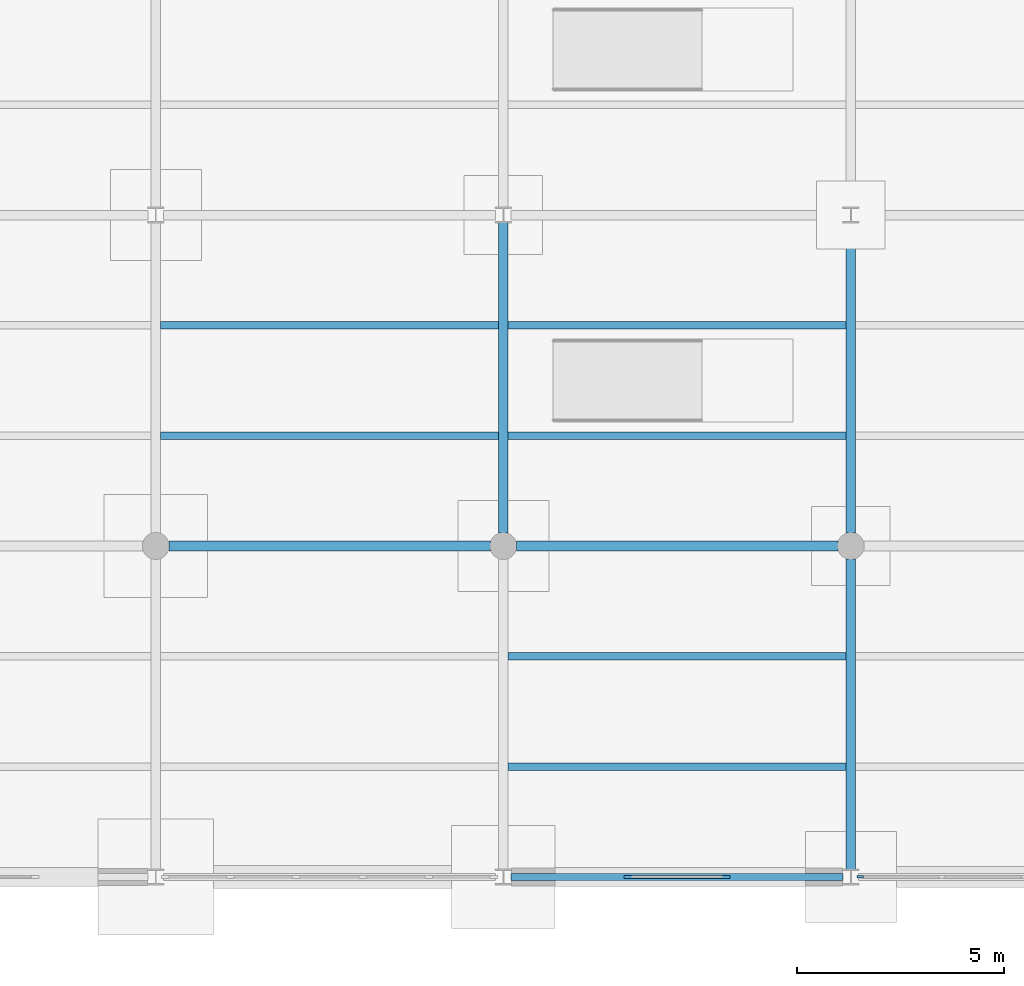
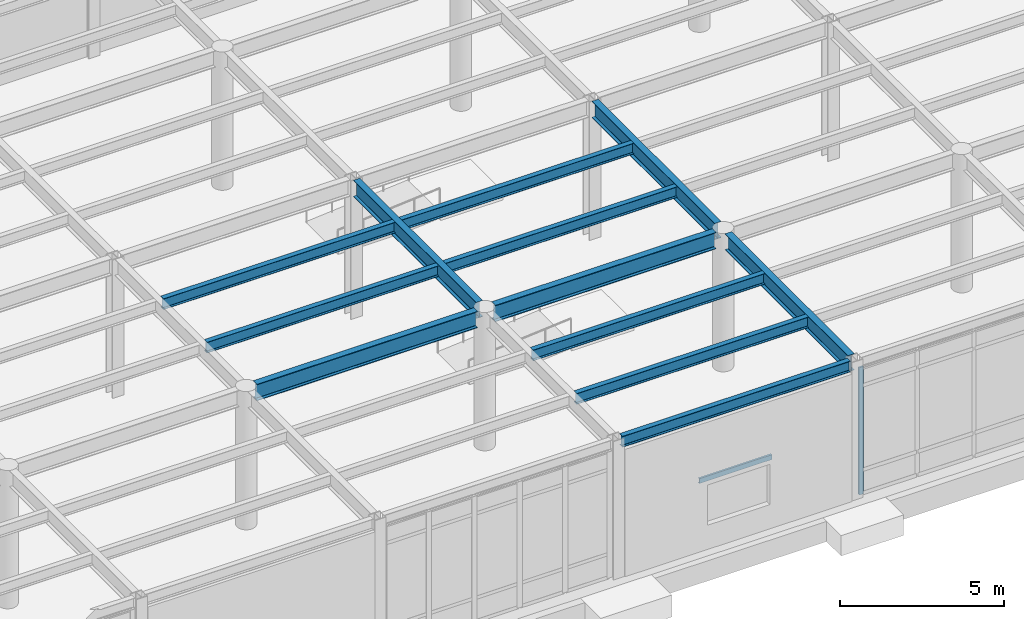
# One storey, part 35 of 138: 13 beams, 1 member, 1 element without a shape of its own.
"""IFC4 building model written with IfcOpenShell, lengths in metres."""

from ifc_helpers import new_model, si_unit, direction, frame, origin, origin_2d, place, context, subcontext, project, spatial, rectangle, i_section, u_section, extrude, material, layer, layer_set, material_profile, profile_set, type_object, element, aggregate, save


model = new_model("IFC4")

# Units and contexts
model_context = context("Model", 3, precision=1e-05, world=origin(), true_north=direction((0.0, 1.0)))
body_context = subcontext(model_context, "Body", "Model", "MODEL_VIEW")
ifc_project = project(units=[si_unit("LENGTHUNIT", "METRE"), si_unit("AREAUNIT", "SQUARE_METRE"), si_unit("VOLUMEUNIT", "CUBIC_METRE"), si_unit("PLANEANGLEUNIT", "RADIAN"), si_unit("MASSUNIT", "GRAM", prefix="KILO")], contexts=[model_context])

# Site, building, storey
site_placement = place(None, origin())
site = spatial("IfcSite", under=ifc_project, at=site_placement, CompositionType="ELEMENT")
building_placement = place(site_placement, origin())
building = spatial("IfcBuilding", under=site, at=building_placement, Name="Kranzveld Transit Interchange", CompositionType="ELEMENT")
storey_placement = place(building_placement, origin())
storey = spatial("IfcBuildingStorey", under=building, at=storey_placement, Name="L00", CompositionType="ELEMENT", Elevation=0.0)

# Curtain wall, member
ifc_material_1 = material(Name="Bronze-anodised thermally broken aluminium", Category="aluminium")
ifc_layer = layer(ifc_material_1, 0.159912109375)
ifc_layer_set = layer_set([ifc_layer], Name="Bronze-anodised thermally broken aluminium")
curtain_wall_type = type_object("IfcCurtainWallType", Name="Bus Boarding Glazed Screen CW-3", PredefinedType="USERDEFINED", material=ifc_layer_set)
curtain_wall_placement = place(storey_placement, origin())
curtain_wall = element("IfcCurtainWall", 1, at=curtain_wall_placement, inside=storey, type_object=curtain_wall_type, Name="L00 Curtain Wall 16/A-17/A", ObjectType="CURTAIN WALL", PredefinedType="USERDEFINED")
ifc_material_2 = material(Name="Bronze-anodised thermally broken aluminium", Category="aluminium")
ifc_material_profile_1 = material_profile(ifc_material_2, rectangle(XDim=0.06005859375, YDim=0.14990234375, at=origin_2d()), Name="ALU MULLION 60x150")
ifc_profile_set_1 = profile_set([ifc_material_profile_1], Name="Bronze-anodised thermally broken aluminium")
member_type = type_object("IfcMemberType", Name="Curtain Wall Mullion 60x150 Alu", PredefinedType="MULLION", material=ifc_profile_set_1)
member_placement = place(storey_placement, frame((126.2294921875, 0.0, 0.0), z_axis=(0.0, 0.0, 1.0), x_axis=(0.0, 1.0, 0.0)))
member = element("IfcMember", 2, at=member_placement, type_object=member_type, Name="CW-3 mullion 1", PredefinedType="MULLION", context=body_context, shape_type="SweptSolid", body=[
    extrude(rectangle(XDim=0.06005859375, YDim=0.14990234375, at=origin_2d()), origin(), (0.0, 0.0, 1.0), 4.740478515625),
])
aggregate(curtain_wall, [member])

# Beams
ifc_material_3 = material(Name="Steel S355JR", Category="steel")
ifc_material_profile_2 = material_profile(ifc_material_3, i_section(OverallWidth=0.1787109375, OverallDepth=0.409423828125, WebThickness=0.0087890625, FlangeThickness=0.014404296875, FilletRadius=0.01025390625, at=origin_2d()), Name="UB 406x178x67")
ifc_profile_set_2 = profile_set([ifc_material_profile_2], Name="Steel S355JR")
beam_type_1 = type_object("IfcBeamType", Name="Facade Spandrel UB 406x178x67 S355JR", PredefinedType="SPANDREL", material=ifc_profile_set_2)
beam_1_placement = place(storey_placement, frame((117.78955078125, 0.0, 4.9453125), z_axis=(1.0, 0.0, 0.0), x_axis=(0.0, 1.0, 0.0)))
element("IfcBeam", 3, at=beam_1_placement, inside=storey, type_object=beam_type_1, Name="L00 Girder 15-16/A", PredefinedType="SPANDREL", context=body_context, shape_type="SweptSolid", body=[
    extrude(i_section(OverallWidth=0.1787109375, OverallDepth=0.409423828125, WebThickness=0.0087890625, FlangeThickness=0.014404296875, FilletRadius=0.01025390625, at=origin_2d()), origin(), (0.0, 0.0, 1.0), 8.02099609375),
])
ifc_material_4 = material(Name="Steel S355JR", Category="steel")
ifc_material_profile_3 = material_profile(ifc_material_4, i_section(OverallWidth=0.177734375, OverallDepth=0.402587890625, WebThickness=0.0078125, FlangeThickness=0.010986328125, FilletRadius=0.01025390625, at=origin_2d()), Name="UB 406x178x54")
ifc_profile_set_3 = profile_set([ifc_material_profile_3], Name="Steel S355JR")
beam_type_2 = type_object("IfcBeamType", Name="Floor Joist UB 406x178x54 S355JR", PredefinedType="JOIST", material=ifc_profile_set_3)
for number, where, z_axis, x_axis, name in (
    (4, (109.316162109375, 10.666748046875, 4.94873046875), (1.0, 0.0, 0.0), (0.0, 1.0, 0.0), "L00 Secondary Joist 14-15/B.1"),
    (5, (109.316162109375, 13.333251953125, 4.94873046875), (1.0, 0.0, 0.0), (0.0, 1.0, 0.0), "L00 Secondary Joist 14-15/B.2"),
    (6, (117.716064453125, 2.666748046875, 4.94873046875), (1.0, 0.0, 0.0), (0.0, 1.0, 0.0), "L00 Secondary Joist 15-16/A.1"),
    (7, (117.716064453125, 5.333251953125, 4.94873046875), (1.0, 0.0, 0.0), (0.0, 1.0, 0.0), "L00 Secondary Joist 15-16/A.2"),
    (8, (117.716064453125, 10.666748046875, 4.94873046875), (1.0, 0.0, 0.0), (0.0, 1.0, 0.0), "L00 Secondary Joist 15-16/B.1"),
    (9, (117.716064453125, 13.333251953125, 4.94873046875), (1.0, 0.0, 0.0), (0.0, 1.0, 0.0), "L00 Secondary Joist 15-16/B.2"),
):
    element("IfcBeam", number, at=place(storey_placement, frame(where, z_axis=z_axis, x_axis=x_axis)), inside=storey, type_object=beam_type_2, Name=name, PredefinedType="JOIST", context=body_context, shape_type="SweptSolid", body=[
        extrude(i_section(OverallWidth=0.177734375, OverallDepth=0.402587890625, WebThickness=0.0078125, FlangeThickness=0.010986328125, FilletRadius=0.01025390625, at=origin_2d()), origin(), (0.0, 0.0, 1.0), 8.167724609375),
    ])
ifc_material_5 = material(Name="Steel S355JR", Category="steel")
ifc_material_profile_4 = material_profile(ifc_material_5, i_section(OverallWidth=0.228271484375, OverallDepth=0.607666015625, WebThickness=0.010986328125, FlangeThickness=0.017333984375, FilletRadius=0.0126953125, at=origin_2d()), Name="UB 610x229x113")
ifc_profile_set_4 = profile_set([ifc_material_profile_4], Name="Steel S355JR")
beam_type_3 = type_object("IfcBeamType", Name="Girder Steel UB 610x229x113 S355JR", PredefinedType="BEAM", material=ifc_profile_set_4)
for number, where, z_axis, x_axis, name in (
    (10, (117.60009765625, 8.31494140625, 4.84619140625), (0.0, 1.0, 0.0), (-1.0, 0.0, 0.0), "L00 Girder 15/B-C"),
    (11, (126.0, 0.186767578125, 4.84619140625), (0.0, 1.0, 0.0), (-1.0, 0.0, 0.0), "L00 Girder 16/A-B"),
    (12, (126.0, 8.31494140625, 4.84619140625), (0.0, 1.0, 0.0), (-1.0, 0.0, 0.0), "L00 Girder 16/B-C"),
):
    element("IfcBeam", number, at=place(storey_placement, frame(where, z_axis=z_axis, x_axis=x_axis)), inside=storey, type_object=beam_type_3, Name=name, PredefinedType="BEAM", context=body_context, shape_type="SweptSolid", body=[
        extrude(i_section(OverallWidth=0.228271484375, OverallDepth=0.607666015625, WebThickness=0.010986328125, FlangeThickness=0.017333984375, FilletRadius=0.0126953125, at=origin_2d()), origin(), (0.0, 0.0, 1.0), 7.498291015625),
    ])
ifc_material_6 = material(Name="Steel S355JR", Category="steel")
ifc_material_profile_5 = material_profile(ifc_material_6, i_section(OverallWidth=0.230224609375, OverallDepth=0.6171875, WebThickness=0.01318359375, FlangeThickness=0.022216796875, FilletRadius=0.0126953125, at=origin_2d()), Name="UB 610x229x140")
ifc_profile_set_5 = profile_set([ifc_material_profile_5], Name="Steel S355JR")
beam_type_4 = type_object("IfcBeamType", Name="Girder Steel UB 610x229x140 S355JR", PredefinedType="BEAM", material=ifc_profile_set_5)
for number, where, z_axis, x_axis, name in (
    (13, (109.514892578125, 8.0, 4.84130859375), (1.0, 0.0, 0.0), (0.0, 1.0, 0.0), "L00 Girder 14-15/B"),
    (14, (117.9150390625, 8.0, 4.84130859375), (1.0, 0.0, 0.0), (0.0, 1.0, 0.0), "L00 Girder 15-16/B"),
):
    element("IfcBeam", number, at=place(storey_placement, frame(where, z_axis=z_axis, x_axis=x_axis)), inside=storey, type_object=beam_type_4, Name=name, PredefinedType="BEAM", context=body_context, shape_type="SweptSolid", body=[
        extrude(i_section(OverallWidth=0.230224609375, OverallDepth=0.6171875, WebThickness=0.01318359375, FlangeThickness=0.022216796875, FilletRadius=0.0126953125, at=origin_2d()), origin(), (0.0, 0.0, 1.0), 7.77001953125),
    ])
ifc_material_7 = material(Name="Steel S355JR", Category="steel")
ifc_material_profile_6 = material_profile(ifc_material_7, u_section(Depth=0.179931640625, FlangeWidth=0.070068359375, WebThickness=0.007080078125, FlangeThickness=0.010986328125, FilletRadius=0.010009765625, at=origin_2d()), Name="PFC 180x70x22")
ifc_profile_set_6 = profile_set([ifc_material_profile_6], Name="Steel S355JR")
beam_type_5 = type_object("IfcBeamType", Name="Masonry Lintel PFC 180x70x22 S355JR", PredefinedType="LINTEL", material=ifc_profile_set_6)
beam_2_placement = place(storey_placement, frame((120.52001953125, 0.0, 2.4951171875), z_axis=(1.0, 0.0, 0.0), x_axis=(0.0, 1.0, 0.0)))
element("IfcBeam", 15, at=beam_2_placement, inside=storey, type_object=beam_type_5, Name="L00 Window Lintel 049", PredefinedType="LINTEL", context=body_context, shape_type="SweptSolid", body=[
    extrude(u_section(Depth=0.179931640625, FlangeWidth=0.070068359375, WebThickness=0.007080078125, FlangeThickness=0.010986328125, FilletRadius=0.010009765625, at=origin_2d()), origin(), (0.0, 0.0, 1.0), 2.56005859375),
])

save(model, "model.ifc")
